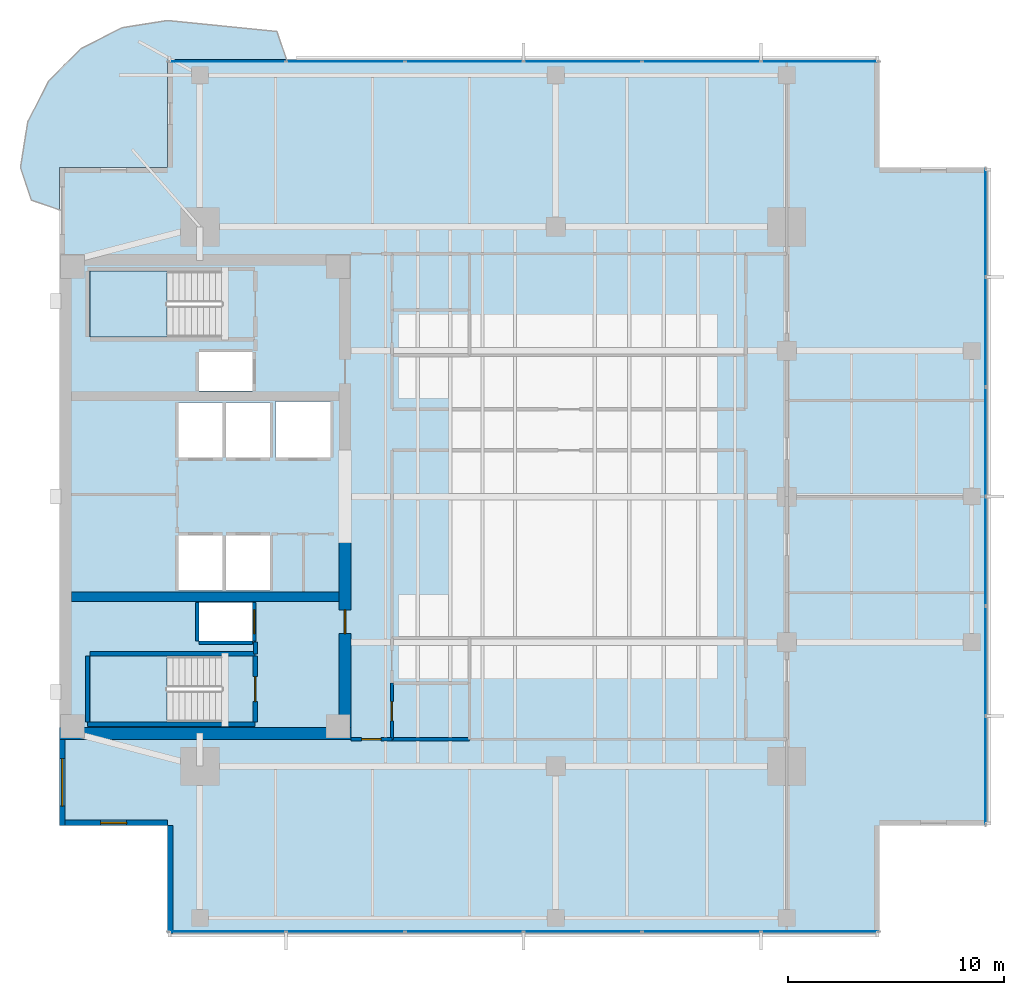
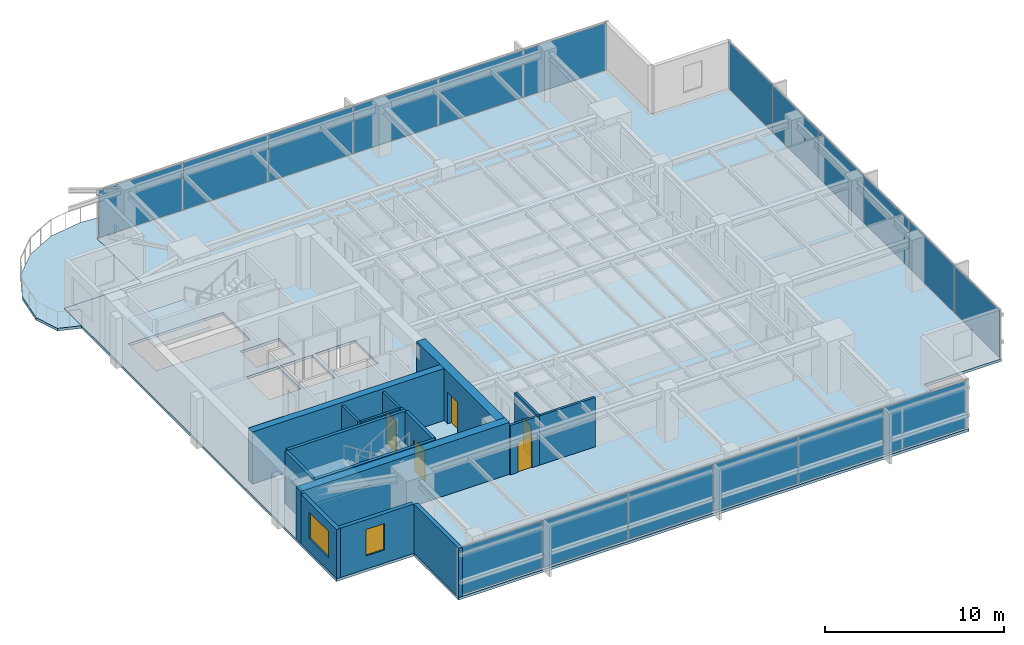
# One storey, part 7 of 14: 18 plates, 17 walls, 5 doors, 4 slabs, 2 windows, 7 openings, 5 elements without a shape of their own.
"""IFC4 building model written with IfcOpenShell, lengths in metres."""

from ifc_helpers import new_model, si_unit, direction, frame, frame_2d, origin, origin_2d, place, context, subcontext, project, spatial, polyline, rectangle, outline, extrude, material, layer, layer_set, type_object, element, fill, aggregate, save


model = new_model("IFC4")

# Units and contexts
model_context = context("Model", 3, precision=1e-05, world=origin(), true_north=direction((0.0, 1.0)))
body_context = subcontext(model_context, "Body", "Model", "MODEL_VIEW")
ifc_project = project(units=[si_unit("LENGTHUNIT", "METRE"), si_unit("AREAUNIT", "SQUARE_METRE"), si_unit("VOLUMEUNIT", "CUBIC_METRE"), si_unit("PLANEANGLEUNIT", "RADIAN"), si_unit("MASSUNIT", "GRAM", prefix="KILO")], contexts=[model_context])

# Site, building, storey
site_placement = place(None, origin())
site = spatial("IfcSite", under=ifc_project, at=site_placement, CompositionType="ELEMENT")
building_placement = place(site_placement, origin())
building = spatial("IfcBuilding", under=site, at=building_placement, Name="Kinhvarn Gate Tower", CompositionType="ELEMENT")
storey_placement = place(building_placement, frame((0.0, 0.0, 205.800048828125)))
storey = spatial("IfcBuildingStorey", under=building, at=storey_placement, Name="L54", CompositionType="ELEMENT", Elevation=205.800048828125)

# Curtain wall, plates
ifc_material_1 = material(Name="Anodised aluminium AW-6063", Category="aluminium")
ifc_layer_1 = layer(ifc_material_1, 0.179931640625)
ifc_layer_set_1 = layer_set([ifc_layer_1], Name="Anodised aluminium AW-6063")
curtain_wall_type = type_object("IfcCurtainWallType", Name="CW-SYS-3", PredefinedType="NOTDEFINED", material=ifc_layer_set_1)
curtain_wall_1_placement = place(storey_placement, origin())
curtain_wall_1 = element("IfcCurtainWall", 1, at=curtain_wall_1_placement, inside=storey, type_object=curtain_wall_type, Name="Curtain Wall CW3 (L54)", PredefinedType="NOTDEFINED")
ifc_material_2 = material(Name="Clear low-e double glazing", Category="glass")
ifc_layer_2 = layer(ifc_material_2, 0.031982421875)
ifc_layer_set_2 = layer_set([ifc_layer_2], Name="Clear low-e double glazing")
plate_type = type_object("IfcPlateType", Name="CW-PNL-VIS", PredefinedType="CURTAIN_PANEL", material=ifc_layer_set_2)
plate_1_placement = place(storey_placement, frame((12.266357421875, 5.090087890625, 0.070068359375), z_axis=(0.0, 0.0, 1.0), x_axis=(1.0, 0.0, 0.0)))
plate_1 = element("IfcPlate", 2, at=plate_1_placement, type_object=plate_type, Name="CW3 panel 1.1", PredefinedType="CURTAIN_PANEL", context=body_context, shape_type="SweptSolid", body=[
    extrude(rectangle(XDim=5.402587890625, YDim=0.031982421875, at=origin_2d()), origin(), (0.0, 0.0, 1.0), 3.22998046875),
])
plate_2_placement = place(storey_placement, frame((17.75, 5.090087890625, 0.070068359375), z_axis=(0.0, 0.0, 1.0), x_axis=(1.0, 0.0, 0.0)))
plate_2 = element("IfcPlate", 3, at=plate_2_placement, type_object=plate_type, Name="CW3 panel 2.1", PredefinedType="CURTAIN_PANEL", context=body_context, shape_type="SweptSolid", body=[
    extrude(rectangle(XDim=5.43505859375, YDim=0.031982421875, at=origin_2d()), origin(), (0.0, 0.0, 1.0), 3.22998046875),
])
plate_3_placement = place(storey_placement, frame((23.25, 5.090087890625, 0.070068359375), z_axis=(0.0, 0.0, 1.0), x_axis=(1.0, 0.0, 0.0)))
plate_3 = element("IfcPlate", 4, at=plate_3_placement, type_object=plate_type, Name="CW3 panel 3.1", PredefinedType="CURTAIN_PANEL", context=body_context, shape_type="SweptSolid", body=[
    extrude(rectangle(XDim=5.43505859375, YDim=0.031982421875, at=origin_2d()), origin(), (0.0, 0.0, 1.0), 3.22998046875),
])
plate_4_placement = place(storey_placement, frame((28.75, 5.090087890625, 0.070068359375), z_axis=(0.0, 0.0, 1.0), x_axis=(1.0, 0.0, 0.0)))
plate_4 = element("IfcPlate", 5, at=plate_4_placement, type_object=plate_type, Name="CW3 panel 4.1", PredefinedType="CURTAIN_PANEL", context=body_context, shape_type="SweptSolid", body=[
    extrude(rectangle(XDim=5.43505859375, YDim=0.031982421875, at=origin_2d()), origin(), (0.0, 0.0, 1.0), 3.22998046875),
])
plate_5_placement = place(storey_placement, frame((34.25, 5.090087890625, 0.070068359375), z_axis=(0.0, 0.0, 1.0), x_axis=(1.0, 0.0, 0.0)))
plate_5 = element("IfcPlate", 6, at=plate_5_placement, type_object=plate_type, Name="CW3 panel 5.1", PredefinedType="CURTAIN_PANEL", context=body_context, shape_type="SweptSolid", body=[
    extrude(rectangle(XDim=5.43505859375, YDim=0.031982421875, at=origin_2d()), origin(), (0.0, 0.0, 1.0), 3.22998046875),
])
plate_6_placement = place(storey_placement, frame((39.733642578125, 5.090087890625, 0.070068359375), z_axis=(0.0, 0.0, 1.0), x_axis=(1.0, 0.0, 0.0)))
plate_6 = element("IfcPlate", 7, at=plate_6_placement, type_object=plate_type, Name="CW3 panel 6.1", PredefinedType="CURTAIN_PANEL", context=body_context, shape_type="SweptSolid", body=[
    extrude(rectangle(XDim=5.402587890625, YDim=0.031982421875, at=origin_2d()), origin(), (0.0, 0.0, 1.0), 3.22998046875),
])
aggregate(curtain_wall_1, [plate_1, plate_2, plate_3, plate_4, plate_5, plate_6])

curtain_wall_2_placement = place(storey_placement, origin())
curtain_wall_2 = element("IfcCurtainWall", 8, at=curtain_wall_2_placement, inside=storey, type_object=curtain_wall_type, Name="Curtain Wall CW3 (L54)", PredefinedType="NOTDEFINED")
plate_7_placement = place(storey_placement, frame((39.733642578125, 45.409912109375, 0.070068359375), z_axis=(0.0, 0.0, 1.0), x_axis=(-1.0, 0.0, 0.0)))
plate_7 = element("IfcPlate", 9, at=plate_7_placement, type_object=plate_type, Name="CW3 panel 1.1", PredefinedType="CURTAIN_PANEL", context=body_context, shape_type="SweptSolid", body=[
    extrude(rectangle(XDim=5.402587890625, YDim=0.031982421875, at=origin_2d()), origin(), (0.0, 0.0, 1.0), 3.22998046875),
])
plate_8_placement = place(storey_placement, frame((34.25, 45.409912109375, 0.070068359375), z_axis=(0.0, 0.0, 1.0), x_axis=(-1.0, 0.0, 0.0)))
plate_8 = element("IfcPlate", 10, at=plate_8_placement, type_object=plate_type, Name="CW3 panel 2.1", PredefinedType="CURTAIN_PANEL", context=body_context, shape_type="SweptSolid", body=[
    extrude(rectangle(XDim=5.43505859375, YDim=0.031982421875, at=origin_2d()), origin(), (0.0, 0.0, 1.0), 3.22998046875),
])
plate_9_placement = place(storey_placement, frame((28.75, 45.409912109375, 0.070068359375), z_axis=(0.0, 0.0, 1.0), x_axis=(-1.0, 0.0, 0.0)))
plate_9 = element("IfcPlate", 11, at=plate_9_placement, type_object=plate_type, Name="CW3 panel 3.1", PredefinedType="CURTAIN_PANEL", context=body_context, shape_type="SweptSolid", body=[
    extrude(rectangle(XDim=5.43505859375, YDim=0.031982421875, at=origin_2d()), origin(), (0.0, 0.0, 1.0), 3.22998046875),
])
plate_10_placement = place(storey_placement, frame((23.25, 45.409912109375, 0.070068359375), z_axis=(0.0, 0.0, 1.0), x_axis=(-1.0, 0.0, 0.0)))
plate_10 = element("IfcPlate", 12, at=plate_10_placement, type_object=plate_type, Name="CW3 panel 4.1", PredefinedType="CURTAIN_PANEL", context=body_context, shape_type="SweptSolid", body=[
    extrude(rectangle(XDim=5.43505859375, YDim=0.031982421875, at=origin_2d()), origin(), (0.0, 0.0, 1.0), 3.22998046875),
])
plate_11_placement = place(storey_placement, frame((17.75, 45.409912109375, 0.070068359375), z_axis=(0.0, 0.0, 1.0), x_axis=(-1.0, 0.0, 0.0)))
plate_11 = element("IfcPlate", 13, at=plate_11_placement, type_object=plate_type, Name="CW3 panel 5.1", PredefinedType="CURTAIN_PANEL", context=body_context, shape_type="SweptSolid", body=[
    extrude(rectangle(XDim=5.43505859375, YDim=0.031982421875, at=origin_2d()), origin(), (0.0, 0.0, 1.0), 3.22998046875),
])
plate_12_placement = place(storey_placement, frame((12.266357421875, 45.409912109375, 0.070068359375), z_axis=(0.0, 0.0, 1.0), x_axis=(-1.0, 0.0, 0.0)))
plate_12 = element("IfcPlate", 14, at=plate_12_placement, type_object=plate_type, Name="CW3 panel 6.1", PredefinedType="CURTAIN_PANEL", context=body_context, shape_type="SweptSolid", body=[
    extrude(rectangle(XDim=5.402587890625, YDim=0.031982421875, at=origin_2d()), origin(), (0.0, 0.0, 1.0), 3.22998046875),
])
aggregate(curtain_wall_2, [plate_7, plate_8, plate_9, plate_10, plate_11, plate_12])

curtain_wall_3_placement = place(storey_placement, origin())
curtain_wall_3 = element("IfcCurtainWall", 15, at=curtain_wall_3_placement, inside=storey, type_object=curtain_wall_type, Name="Curtain Wall CW3 (L54)", PredefinedType="NOTDEFINED")
plate_13_placement = place(storey_placement, frame((47.409912109375, 12.557861328125, 0.070068359375), z_axis=(0.0, 0.0, 1.0), x_axis=(0.0, 1.0, 0.0)))
plate_13 = element("IfcPlate", 16, at=plate_13_placement, type_object=plate_type, Name="CW3 panel 1.1", PredefinedType="CURTAIN_PANEL", context=body_context, shape_type="SweptSolid", body=[
    extrude(rectangle(XDim=4.98583984375, YDim=0.031982421875, at=origin_2d()), origin(), (0.0, 0.0, 1.0), 3.22998046875),
])
plate_14_placement = place(storey_placement, frame((47.409912109375, 17.625, 0.070068359375), z_axis=(0.0, 0.0, 1.0), x_axis=(0.0, 1.0, 0.0)))
plate_14 = element("IfcPlate", 17, at=plate_14_placement, type_object=plate_type, Name="CW3 panel 2.1", PredefinedType="CURTAIN_PANEL", context=body_context, shape_type="SweptSolid", body=[
    extrude(rectangle(XDim=5.018310546875, YDim=0.031982421875, at=origin_2d()), origin(), (0.0, 0.0, 1.0), 3.22998046875),
])
plate_15_placement = place(storey_placement, frame((47.409912109375, 22.708251953125, 0.070068359375), z_axis=(0.0, 0.0, 1.0), x_axis=(0.0, 1.0, 0.0)))
plate_15 = element("IfcPlate", 18, at=plate_15_placement, type_object=plate_type, Name="CW3 panel 3.1", PredefinedType="CURTAIN_PANEL", context=body_context, shape_type="SweptSolid", body=[
    extrude(rectangle(XDim=5.018310546875, YDim=0.031982421875, at=origin_2d()), origin(), (0.0, 0.0, 1.0), 3.22998046875),
])
plate_16_placement = place(storey_placement, frame((47.409912109375, 27.791748046875, 0.070068359375), z_axis=(0.0, 0.0, 1.0), x_axis=(0.0, 1.0, 0.0)))
plate_16 = element("IfcPlate", 19, at=plate_16_placement, type_object=plate_type, Name="CW3 panel 4.1", PredefinedType="CURTAIN_PANEL", context=body_context, shape_type="SweptSolid", body=[
    extrude(rectangle(XDim=5.018310546875, YDim=0.031982421875, at=origin_2d()), origin(), (0.0, 0.0, 1.0), 3.22998046875),
])
plate_17_placement = place(storey_placement, frame((47.409912109375, 32.875, 0.070068359375), z_axis=(0.0, 0.0, 1.0), x_axis=(0.0, 1.0, 0.0)))
plate_17 = element("IfcPlate", 20, at=plate_17_placement, type_object=plate_type, Name="CW3 panel 5.1", PredefinedType="CURTAIN_PANEL", context=body_context, shape_type="SweptSolid", body=[
    extrude(rectangle(XDim=5.018310546875, YDim=0.031982421875, at=origin_2d()), origin(), (0.0, 0.0, 1.0), 3.22998046875),
])
plate_18_placement = place(storey_placement, frame((47.409912109375, 37.942138671875, 0.070068359375), z_axis=(0.0, 0.0, 1.0), x_axis=(0.0, 1.0, 0.0)))
plate_18 = element("IfcPlate", 21, at=plate_18_placement, type_object=plate_type, Name="CW3 panel 6.1", PredefinedType="CURTAIN_PANEL", context=body_context, shape_type="SweptSolid", body=[
    extrude(rectangle(XDim=4.98583984375, YDim=0.031982421875, at=origin_2d()), origin(), (0.0, 0.0, 1.0), 3.22998046875),
])
aggregate(curtain_wall_3, [plate_13, plate_14, plate_15, plate_16, plate_17, plate_18])

# Slabs
ifc_material_3 = material(Name="Precast white architectural concrete C40/50", Category="concrete")
ifc_layer_3 = layer(ifc_material_3, 0.179931640625)
ifc_layer_set_3 = layer_set([ifc_layer_3], Name="Precast white architectural concrete C40/50")
slab_type_1 = type_object("IfcSlabType", Name="SLB-BAL-180", PredefinedType="FLOOR", material=ifc_layer_set_3)
slab_1_placement = place(storey_placement, frame((0.0, 0.0, -0.179931640625)))
element("IfcSlab", 22, at=slab_1_placement, inside=storey, type_object=slab_type_1, Name="S-Carve Curved Terrace Balcony Slab L54 (NW)", PredefinedType="FLOOR", context=body_context, shape_type="SweptSolid", body=[
    extrude(outline(polyline([(15.01806640625, 45.5), (14.568115234375, 46.80615234375), (9.5, 47.31396484375), (7.394287109375, 46.98046875), (5.494873046875, 46.0126953125), (3.9873046875, 44.505126953125), (3.01953125, 42.605712890625), (2.68603515625, 40.5), (3.19384765625, 38.987060546875), (4.5, 38.537109375), (4.5, 40.5), (9.5, 40.5), (9.5, 45.5), (15.01806640625, 45.5)])), origin(), (0.0, 0.0, 1.0), 0.179931640625),
])
ifc_material_4 = material(Name="Concrete C40/50", Category="concrete")
ifc_layer_4 = layer(ifc_material_4, 0.179931640625)
ifc_layer_set_4 = layer_set([ifc_layer_4], Name="Concrete C40/50")
slab_type_2 = type_object("IfcSlabType", Name="SLB-FLR-180", PredefinedType="FLOOR", material=ifc_layer_set_4)
slab_2_placement = place(storey_placement, frame((0.0, 0.0, -0.179931640625)))
element("IfcSlab", 23, at=slab_2_placement, inside=storey, type_object=slab_type_2, Name="Suspended Floor Slab L54", PredefinedType="FLOOR", context=body_context, shape_type="SweptSolid", body=[
    extrude(outline(polyline([(9.5, 5.0), (42.5, 5.0), (42.5, 10.0), (47.5, 10.0), (47.5, 40.5), (42.5, 40.5), (42.5, 45.5), (9.5, 45.5), (9.5, 40.5), (4.5, 40.5), (4.5, 10.0), (9.5, 10.0), (9.5, 5.0)]), holes=[polyline([(5.89990234375, 14.800048828125), (12.0, 14.800048828125), (12.0, 17.85009765625), (5.89990234375, 17.85009765625), (5.89990234375, 14.800048828125)]), polyline([(5.89990234375, 32.64990234375), (12.0, 32.64990234375), (12.0, 35.699951171875), (5.89990234375, 35.699951171875), (5.89990234375, 32.64990234375)]), polyline([(10.0, 20.89990234375), (12.050048828125, 20.89990234375), (12.050048828125, 23.449951171875), (10.0, 23.449951171875), (10.0, 20.89990234375)]), polyline([(12.199951171875, 20.89990234375), (14.25, 20.89990234375), (14.25, 23.449951171875), (12.199951171875, 23.449951171875), (12.199951171875, 20.89990234375)]), polyline([(10.0, 27.050048828125), (12.050048828125, 27.050048828125), (12.050048828125, 29.60009765625), (10.0, 29.60009765625), (10.0, 27.050048828125)]), polyline([(12.199951171875, 27.050048828125), (14.25, 27.050048828125), (14.25, 29.60009765625), (12.199951171875, 29.60009765625), (12.199951171875, 27.050048828125)]), polyline([(14.5, 27.050048828125), (17.050048828125, 27.050048828125), (17.050048828125, 29.64990234375), (14.5, 29.64990234375), (14.5, 27.050048828125)]), polyline([(10.949951171875, 18.550048828125), (13.449951171875, 18.550048828125), (13.449951171875, 20.35009765625), (10.949951171875, 20.35009765625), (10.949951171875, 18.550048828125)]), polyline([(10.949951171875, 30.14990234375), (13.449951171875, 30.14990234375), (13.449951171875, 31.949951171875), (10.949951171875, 31.949951171875), (10.949951171875, 30.14990234375)])]), origin(), (0.0, 0.0, 1.0), 0.179931640625),
])

# Stair, slab
stair_type = type_object("IfcStairType", Name="STR-DLG-177", PredefinedType="HALF_TURN_STAIR", material=ifc_material_4)
stair_1_placement = place(storey_placement, origin())
stair_1 = element("IfcStair", 24, at=stair_1_placement, inside=storey, type_object=stair_type, Name="L54 Core Smokeproof Exit Stair ST1", PredefinedType="HALF_TURN_STAIR")
ifc_layer_5 = layer(ifc_material_4, 0.199951171875)
ifc_layer_set_5 = layer_set([ifc_layer_5], Name="Concrete C40/50")
slab_type_3 = type_object("IfcSlabType", Name="SLB-ST-LND", PredefinedType="LANDING", material=ifc_layer_set_5)
slab_3_placement = place(storey_placement, frame((0.0, 0.0, 1.574951171875)))
slab_3 = element("IfcSlab", 25, at=slab_3_placement, type_object=slab_type_3, Name="ST1 landing 1", PredefinedType="LANDING", context=body_context, shape_type="SweptSolid", body=[
    extrude(outline(polyline([(9.47998046875, 17.85009765625), (5.89990234375, 17.85009765625), (5.89990234375, 14.800048828125), (9.47998046875, 14.800048828125), (9.47998046875, 17.85009765625)])), origin(), (0.0, 0.0, 1.0), 0.199951171875),
])
aggregate(stair_1, [slab_3])

stair_2_placement = place(storey_placement, origin())
stair_2 = element("IfcStair", 26, at=stair_2_placement, inside=storey, type_object=stair_type, Name="L54 Core Smokeproof Exit Stair ST2", PredefinedType="HALF_TURN_STAIR")
slab_4_placement = place(storey_placement, frame((0.0, 0.0, 1.574951171875)))
slab_4 = element("IfcSlab", 27, at=slab_4_placement, type_object=slab_type_3, Name="ST2 landing 1", PredefinedType="LANDING", context=body_context, shape_type="SweptSolid", body=[
    extrude(outline(polyline([(9.47998046875, 35.699951171875), (5.89990234375, 35.699951171875), (5.89990234375, 32.64990234375), (9.47998046875, 32.64990234375), (9.47998046875, 35.699951171875)])), origin(), (0.0, 0.0, 1.0), 0.199951171875),
])
aggregate(stair_2, [slab_4])

# Walls
ifc_material_5 = material(Name="Concrete C50/60", Category="concrete")
ifc_layer_6 = layer(ifc_material_5, 0.449951171875)
ifc_layer_set_6 = layer_set([ifc_layer_6], Name="Concrete C50/60")
wall_type_1 = type_object("IfcWallType", Name="WL-CORE-450", PredefinedType="SHEAR", material=ifc_layer_set_6)
wall_1_placement = place(storey_placement, frame((5.050048828125, 20.60009765625, 0.0), z_axis=(0.0, 0.0, 1.0), x_axis=(1.0, 0.0, 0.0)))
element("IfcWall", 28, at=wall_1_placement, inside=storey, type_object=wall_type_1, Name="Core South Spine Shear Wall L54 450 mm", PredefinedType="SHEAR", context=body_context, shape_type="SweptSolid", body=[
    extrude(rectangle(XDim=12.39990234375, YDim=0.449951171875, at=frame_2d((6.199951171875, 0.0))), origin(), (0.0, 0.0, 1.0), 3.550048828125),
])
ifc_material_6 = material(Name="Concrete C60/75", Category="concrete")
ifc_layer_7 = layer(ifc_material_6, 0.550048828125)
ifc_layer_set_7 = layer_set([ifc_layer_7], Name="Concrete C60/75")
wall_type_2 = type_object("IfcWallType", Name="WL-CORE-550", PredefinedType="SHEAR", material=ifc_layer_set_7)
wall_2_placement = place(storey_placement, frame((4.5, 14.27490234375, 0.0), z_axis=(0.0, 0.0, 1.0), x_axis=(1.0, 0.0, 0.0)))
element("IfcWall", 29, at=wall_2_placement, inside=storey, type_object=wall_type_2, Name="Core South Shear Wall L54 550 mm", PredefinedType="SHEAR", context=body_context, shape_type="SweptSolid", body=[
    extrude(rectangle(XDim=13.5, YDim=0.550048828125, at=frame_2d((6.75, 0.0))), origin(), (0.0, 0.0, 1.0), 3.550048828125),
])

# Wall, opening, door
wall_3_placement = place(storey_placement, frame((17.72509765625, 14.550048828125, 0.0), z_axis=(0.0, 0.0, 1.0), x_axis=(0.0, 1.0, 0.0)))
wall_3 = element("IfcWall", 30, at=wall_3_placement, inside=storey, type_object=wall_type_2, Name="Core East-South Shear Pier L54 550 mm", PredefinedType="SHEAR", context=body_context, shape_type="SweptSolid", body=[
    extrude(rectangle(XDim=8.89990234375, YDim=0.550048828125, at=frame_2d((4.449951171875, 0.0))), origin(), (0.0, 0.0, 1.0), 3.550048828125),
])
opening_1_placement = place(wall_3_placement, frame((4.35009765625, 0.0, 0.0)))
opening_1 = element("IfcOpeningElement", 31, at=opening_1_placement, cuts=wall_3, Name="Opening FD-02", PredefinedType="OPENING", context=body_context, shape_type="SweptSolid", body=[
    extrude(rectangle(XDim=1.10009765625, YDim=2.14990234375, at=frame_2d((0.550048828125, 1.074951171875))), frame((0.0, 0.28515625, 0.0), z_axis=(0.0, -1.0, 0.0), x_axis=(1.0, 0.0, 0.0)), (0.0, 0.0, 1.0), 0.570068359375),
])
door_type_1 = type_object("IfcDoorType", Name="DR-FD-1100", OperationType="NOTDEFINED", PredefinedType="DOOR", material=ifc_material_1)
door_1_placement = place(opening_1_placement, origin())
door_1 = element("IfcDoor", 32, at=door_1_placement, inside=storey, type_object=door_type_1, Name="Firefighting Lobby Core Door (L54)", OperationType="SINGLE_SWING_RIGHT", OverallHeight=2.14990234375, OverallWidth=1.10009765625, PredefinedType="DOOR", context=body_context, shape_type="SweptSolid", body=[
    extrude(rectangle(XDim=1.10009765625, YDim=2.14990234375, at=frame_2d((0.550048828125, 1.074951171875))), frame((0.0, 0.02490234375, 0.0), z_axis=(0.0, -1.0, 0.0), x_axis=(1.0, 0.0, 0.0)), (0.0, 0.0, 1.0), 0.050048828125),
])
fill(opening_1, door_1)

# Wall, opening, window
ifc_material_7 = material(Name="Fired architectural terracotta", Category="masonry")
ifc_layer_8 = layer(ifc_material_7, 0.25)
ifc_layer_set_8 = layer_set([ifc_layer_8], Name="Fired architectural terracotta")
wall_type_3 = type_object("IfcWallType", Name="WL-EXT-250", PredefinedType="SOLIDWALL", material=ifc_layer_set_8)
wall_4_placement = place(storey_placement, frame((4.625, 14.0, 0.0), z_axis=(0.0, 0.0, 1.0), x_axis=(0.0, -1.0, 0.0)))
wall_4 = element("IfcWall", 33, at=wall_4_placement, inside=storey, type_object=wall_type_3, Name="Exterior Solidwall Wall EW-250 (L54 West-South)", PredefinedType="SOLIDWALL", context=body_context, shape_type="SweptSolid", body=[
    extrude(rectangle(XDim=4.0, YDim=0.25, at=frame_2d((2.0, 0.0))), origin(), (0.0, 0.0, 1.0), 3.369873046875),
])
opening_2_placement = place(wall_4_placement, frame((0.89990234375, 0.0, 0.89990234375)))
opening_2 = element("IfcOpeningElement", 34, at=opening_2_placement, cuts=wall_4, Name="Opening WN-01", PredefinedType="OPENING", context=body_context, shape_type="SweptSolid", body=[
    extrude(rectangle(XDim=2.199951171875, YDim=1.800048828125, at=frame_2d((1.10009765625, 0.89990234375))), frame((0.0, 0.135009765625, 0.0), z_axis=(0.0, -1.0, 0.0), x_axis=(1.0, 0.0, 0.0)), (0.0, 0.0, 1.0), 0.27001953125),
])
window_type_1 = type_object("IfcWindowType", Name="WIN-RIB-2200", PartitioningType="SINGLE_PANEL", PredefinedType="WINDOW", material=ifc_material_2)
window_1_placement = place(opening_2_placement, origin())
window_1 = element("IfcWindow", 35, at=window_1_placement, inside=storey, type_object=window_type_1, Name="West Flank Double-Glazed Ribbon Window 2200x1800 mm (L54)", OverallHeight=1.800048828125, OverallWidth=2.199951171875, PartitioningType="SINGLE_PANEL", PredefinedType="WINDOW", context=body_context, shape_type="SweptSolid", body=[
    extrude(rectangle(XDim=2.199951171875, YDim=1.800048828125, at=frame_2d((1.10009765625, 0.89990234375))), frame((0.0, 0.030029296875, 0.0), z_axis=(0.0, -1.0, 0.0), x_axis=(1.0, 0.0, 0.0)), (0.0, 0.0, 1.0), 0.06005859375),
])
fill(opening_2, window_1)

wall_5_placement = place(storey_placement, frame((4.5, 10.125, 0.0), z_axis=(0.0, 0.0, 1.0), x_axis=(1.0, 0.0, 0.0)))
wall_5 = element("IfcWall", 36, at=wall_5_placement, inside=storey, type_object=wall_type_3, Name="Exterior Solidwall Wall EW-250 (L54 SW-Notch-1)", PredefinedType="SOLIDWALL", context=body_context, shape_type="SweptSolid", body=[
    extrude(rectangle(XDim=5.0, YDim=0.25, at=frame_2d((2.5, 0.0))), origin(), (0.0, 0.0, 1.0), 3.369873046875),
])
opening_3_placement = place(wall_5_placement, frame((1.89990234375, 0.0, 0.89990234375)))
opening_3 = element("IfcOpeningElement", 37, at=opening_3_placement, cuts=wall_5, Name="Opening WN-02", PredefinedType="OPENING", context=body_context, shape_type="SweptSolid", body=[
    extrude(rectangle(XDim=1.199951171875, YDim=1.800048828125, at=frame_2d((0.60009765625, 0.89990234375))), frame((0.0, 0.135009765625, 0.0), z_axis=(0.0, -1.0, 0.0), x_axis=(1.0, 0.0, 0.0)), (0.0, 0.0, 1.0), 0.27001953125),
])
window_type_2 = type_object("IfcWindowType", Name="WIN-NTC-1200", PartitioningType="SINGLE_PANEL", PredefinedType="WINDOW", material=ifc_material_2)
window_2_placement = place(opening_3_placement, origin())
window_2 = element("IfcWindow", 38, at=window_2_placement, inside=storey, type_object=window_type_2, Name="Recessed Corner Notch Punched Window 1200x1800 mm (L54)", OverallHeight=1.800048828125, OverallWidth=1.199951171875, PartitioningType="SINGLE_PANEL", PredefinedType="WINDOW", context=body_context, shape_type="SweptSolid", body=[
    extrude(rectangle(XDim=1.199951171875, YDim=1.800048828125, at=frame_2d((0.60009765625, 0.89990234375))), frame((0.0, 0.030029296875, 0.0), z_axis=(0.0, -1.0, 0.0), x_axis=(1.0, 0.0, 0.0)), (0.0, 0.0, 1.0), 0.06005859375),
])
fill(opening_3, window_2)

# Walls
wall_6_placement = place(storey_placement, frame((9.625, 10.0, 0.0), z_axis=(0.0, 0.0, 1.0), x_axis=(0.0, -1.0, 0.0)))
element("IfcWall", 39, at=wall_6_placement, inside=storey, type_object=wall_type_3, Name="Exterior Solidwall Wall EW-250 (L54 SW-Notch-2)", PredefinedType="SOLIDWALL", context=body_context, shape_type="SweptSolid", body=[
    extrude(rectangle(XDim=5.0, YDim=0.25, at=frame_2d((2.5, 0.0))), origin(), (0.0, 0.0, 1.0), 3.369873046875),
])
ifc_material_8 = material(Name="Gypsum acoustic partition board")
ifc_layer_9 = layer(ifc_material_8, 0.14990234375)
ifc_layer_set_9 = layer_set([ifc_layer_9], Name="Gypsum acoustic partition board")
wall_type_4 = type_object("IfcWallType", Name="WL-PLM-150", PredefinedType="PLUMBINGWALL", material=ifc_layer_set_9)
wall_7_placement = place(storey_placement, frame((19.89990234375, 14.0, 0.0), z_axis=(0.0, 0.0, 1.0), x_axis=(1.0, 0.0, 0.0)))
element("IfcWall", 40, at=wall_7_placement, inside=storey, type_object=wall_type_4, Name="Interior Partition PLW-150 (L54)", PredefinedType="PLUMBINGWALL", context=body_context, shape_type="SweptSolid", body=[
    extrude(rectangle(XDim=3.60009765625, YDim=0.14990234375, at=frame_2d((1.800048828125, 0.0))), origin(), (0.0, 0.0, 1.0), 3.369873046875),
])

# Wall, opening, door
ifc_layer_10 = layer(ifc_material_8, 0.14990234375)
ifc_layer_set_10 = layer_set([ifc_layer_10], Name="Gypsum acoustic partition board")
wall_type_5 = type_object("IfcWallType", Name="WL-PLM-150F", PredefinedType="PLUMBINGWALL", material=ifc_layer_set_10)
wall_8_placement = place(storey_placement, frame((19.89990234375, 14.0, 0.0), z_axis=(0.0, 0.0, 1.0), x_axis=(0.0, 1.0, 0.0)))
wall_8 = element("IfcWall", 41, at=wall_8_placement, inside=storey, type_object=wall_type_5, Name="Interior Partition PLW-150F (L54)", PredefinedType="PLUMBINGWALL", context=body_context, shape_type="SweptSolid", body=[
    extrude(rectangle(XDim=2.60009765625, YDim=0.14990234375, at=frame_2d((1.300048828125, 0.0))), origin(), (0.0, 0.0, 1.0), 3.369873046875),
])
opening_4_placement = place(wall_8_placement, frame((0.85009765625, 0.0, 0.0)))
opening_4 = element("IfcOpeningElement", 42, at=opening_4_placement, cuts=wall_8, Name="Opening FD-04", PredefinedType="OPENING", context=body_context, shape_type="SweptSolid", body=[
    extrude(rectangle(XDim=0.89990234375, YDim=2.10009765625, at=frame_2d((0.449951171875, 1.050048828125))), frame((0.0, 0.0849609375, 0.0), z_axis=(0.0, -1.0, 0.0), x_axis=(1.0, 0.0, 0.0)), (0.0, 0.0, 1.0), 0.169921875),
])
door_type_2 = type_object("IfcDoorType", Name="DR-FD-900", OperationType="NOTDEFINED", PredefinedType="DOOR", material=ifc_material_1)
door_2_placement = place(opening_4_placement, origin())
door_2 = element("IfcDoor", 43, at=door_2_placement, inside=storey, type_object=door_type_2, Name="Rated Riser & Service Closet Fire Door 900x2100 mm (L54)", OperationType="SINGLE_SWING_LEFT", OverallHeight=2.10009765625, OverallWidth=0.89990234375, PredefinedType="DOOR", context=body_context, shape_type="SweptSolid", body=[
    extrude(rectangle(XDim=0.89990234375, YDim=2.10009765625, at=frame_2d((0.449951171875, 1.050048828125))), frame((0.0, 0.02490234375, 0.0), z_axis=(0.0, -1.0, 0.0), x_axis=(1.0, 0.0, 0.0)), (0.0, 0.0, 1.0), 0.050048828125),
])
fill(opening_4, door_2)

ifc_layer_11 = layer(ifc_material_8, 0.14990234375)
ifc_layer_set_11 = layer_set([ifc_layer_11], Name="Gypsum acoustic partition board")
wall_type_6 = type_object("IfcWallType", Name="WL-PRT-150F", PredefinedType="PARTITIONING", material=ifc_layer_set_11)
wall_9_placement = place(storey_placement, frame((18.0, 14.0, 0.0), z_axis=(0.0, 0.0, 1.0), x_axis=(1.0, 0.0, 0.0)))
wall_9 = element("IfcWall", 44, at=wall_9_placement, inside=storey, type_object=wall_type_6, Name="Interior Partition PW-150F (L54)", PredefinedType="PARTITIONING", context=body_context, shape_type="SweptSolid", body=[
    extrude(rectangle(XDim=1.89990234375, YDim=0.14990234375, at=frame_2d((0.949951171875, 0.0))), origin(), (0.0, 0.0, 1.0), 3.369873046875),
])
opening_5_placement = place(wall_9_placement, frame((0.5, 0.0, 0.0)))
opening_5 = element("IfcOpeningElement", 45, at=opening_5_placement, cuts=wall_9, Name="Opening ID-03", PredefinedType="OPENING", context=body_context, shape_type="SweptSolid", body=[
    extrude(rectangle(XDim=0.89990234375, YDim=2.10009765625, at=frame_2d((0.449951171875, 1.050048828125))), frame((0.0, 0.0849609375, 0.0), z_axis=(0.0, -1.0, 0.0), x_axis=(1.0, 0.0, 0.0)), (0.0, 0.0, 1.0), 0.169921875),
])
door_type_3 = type_object("IfcDoorType", Name="DR-INT-900", OperationType="NOTDEFINED", PredefinedType="DOOR", material=ifc_material_1)
door_3_placement = place(opening_5_placement, origin())
door_3 = element("IfcDoor", 46, at=door_3_placement, inside=storey, type_object=door_type_3, Name="Cellular Office & Restroom Door 900x2100 mm (L54)", OperationType="SINGLE_SWING_LEFT", OverallHeight=2.10009765625, OverallWidth=0.89990234375, PredefinedType="DOOR", context=body_context, shape_type="SweptSolid", body=[
    extrude(rectangle(XDim=0.89990234375, YDim=2.10009765625, at=frame_2d((0.449951171875, 1.050048828125))), frame((0.0, 0.02490234375, 0.0), z_axis=(0.0, -1.0, 0.0), x_axis=(1.0, 0.0, 0.0)), (0.0, 0.0, 1.0), 0.050048828125),
])
fill(opening_5, door_3)

# Walls
ifc_layer_12 = layer(ifc_material_8, 0.199951171875)
ifc_layer_set_12 = layer_set([ifc_layer_12], Name="Gypsum acoustic partition board")
wall_type_7 = type_object("IfcWallType", Name="WL-PRT-200", PredefinedType="PARTITIONING", material=ifc_layer_set_12)
wall_10_placement = place(storey_placement, frame((13.580078125, 17.9599609375, 0.0), z_axis=(0.0, 0.0, 1.0), x_axis=(0.0, 1.0, 0.0)))
element("IfcWall", 47, at=wall_10_placement, inside=storey, type_object=wall_type_7, Name="Interior Partition PW-200 (L54)", PredefinedType="PARTITIONING", context=body_context, shape_type="SweptSolid", body=[
    extrude(rectangle(XDim=0.5400390625, YDim=0.199951171875, at=frame_2d((0.27001953125, 0.0))), origin(), (0.0, 0.0, 1.0), 3.369873046875),
])
ifc_layer_13 = layer(ifc_material_8, 0.14990234375)
ifc_layer_set_13 = layer_set([ifc_layer_13], Name="Gypsum acoustic partition board")
wall_type_8 = type_object("IfcWallType", Name="WL-SHF-150", PredefinedType="PARTITIONING", material=ifc_layer_set_13)
wall_11_placement = place(storey_placement, frame((10.949951171875, 18.47509765625, 0.0), z_axis=(0.0, 0.0, 1.0), x_axis=(1.0, 0.0, 0.0)))
element("IfcWall", 48, at=wall_11_placement, inside=storey, type_object=wall_type_8, Name="Elevator FF1 Hoistway Wall S (L54)", PredefinedType="PARTITIONING", context=body_context, shape_type="SweptSolid", body=[
    extrude(rectangle(XDim=2.5, YDim=0.14990234375, at=frame_2d((1.25, 0.0))), origin(), (0.0, 0.0, 1.0), 3.369873046875),
])
wall_12_placement = place(storey_placement, frame((10.875, 18.550048828125, 0.0), z_axis=(0.0, 0.0, 1.0), x_axis=(0.0, 1.0, 0.0)))
element("IfcWall", 49, at=wall_12_placement, inside=storey, type_object=wall_type_8, Name="Elevator FF1 Hoistway Wall W (L54)", PredefinedType="PARTITIONING", context=body_context, shape_type="SweptSolid", body=[
    extrude(rectangle(XDim=1.800048828125, YDim=0.14990234375, at=frame_2d((0.89990234375, 0.0))), origin(), (0.0, 0.0, 1.0), 3.369873046875),
])

# Wall, opening, door
wall_13_placement = place(storey_placement, frame((13.52490234375, 18.550048828125, 0.0), z_axis=(0.0, 0.0, 1.0), x_axis=(0.0, 1.0, 0.0)))
wall_13 = element("IfcWall", 50, at=wall_13_placement, inside=storey, type_object=wall_type_8, Name="Elevator FF1 Landing Wall (L54)", PredefinedType="PARTITIONING", context=body_context, shape_type="SweptSolid", body=[
    extrude(rectangle(XDim=1.800048828125, YDim=0.14990234375, at=frame_2d((0.89990234375, 0.0))), origin(), (0.0, 0.0, 1.0), 3.369873046875),
])
opening_6_placement = place(wall_13_placement, frame((0.35009765625, 0.0, 0.0)))
opening_6 = element("IfcOpeningElement", 51, at=opening_6_placement, cuts=wall_13, Name="Opening LD-03", PredefinedType="OPENING", context=body_context, shape_type="SweptSolid", body=[
    extrude(rectangle(XDim=1.10009765625, YDim=2.199951171875, at=frame_2d((0.550048828125, 1.10009765625))), frame((0.0, 0.0849609375, 0.0), z_axis=(0.0, -1.0, 0.0), x_axis=(1.0, 0.0, 0.0)), (0.0, 0.0, 1.0), 0.169921875),
])
door_type_4 = type_object("IfcDoorType", Name="DR-LND-FF", OperationType="NOTDEFINED", PredefinedType="DOOR", material=ifc_material_1)
door_4_placement = place(opening_6_placement, origin())
door_4 = element("IfcDoor", 52, at=door_4_placement, inside=storey, type_object=door_type_4, Name="Elevator FF1 Sliding Landing Door (L54)", OperationType="DOUBLE_DOOR_SLIDING", OverallHeight=2.199951171875, OverallWidth=1.10009765625, PredefinedType="DOOR", context=body_context, shape_type="SweptSolid", body=[
    extrude(rectangle(XDim=1.10009765625, YDim=2.199951171875, at=frame_2d((0.550048828125, 1.10009765625))), frame((0.0, 0.02490234375, 0.0), z_axis=(0.0, -1.0, 0.0), x_axis=(1.0, 0.0, 0.0)), (0.0, 0.0, 1.0), 0.050048828125),
])
fill(opening_6, door_4)

# Walls
ifc_layer_14 = layer(ifc_material_4, 0.199951171875)
ifc_layer_set_14 = layer_set([ifc_layer_14], Name="Concrete C40/50")
wall_type_9 = type_object("IfcWallType", Name="WL-SHF-200", PredefinedType="SOLIDWALL", material=ifc_layer_set_14)
wall_14_placement = place(storey_placement, frame((5.800048828125, 14.699951171875, 0.0), z_axis=(0.0, 0.0, 1.0), x_axis=(1.0, 0.0, 0.0)))
element("IfcWall", 53, at=wall_14_placement, inside=storey, type_object=wall_type_9, Name="Stair ST1 South Shaft Wall (L54)", PredefinedType="SOLIDWALL", context=body_context, shape_type="SweptSolid", body=[
    extrude(rectangle(XDim=7.75, YDim=0.199951171875, at=frame_2d((3.875, 0.0))), origin(), (0.0, 0.0, 1.0), 3.550048828125),
])
wall_15_placement = place(storey_placement, frame((5.7900390625, 14.800048828125, 0.0), z_axis=(0.0, 0.0, 1.0), x_axis=(0.0, 1.0, 0.0)))
element("IfcWall", 54, at=wall_15_placement, inside=storey, type_object=wall_type_9, Name="Stair ST1 West Shaft Wall (L54)", PredefinedType="SOLIDWALL", context=body_context, shape_type="SweptSolid", body=[
    extrude(rectangle(XDim=3.050048828125, YDim=0.199951171875, at=frame_2d((1.52490234375, 0.0))), origin(), (0.0, 0.0, 1.0), 3.550048828125),
])
wall_16_placement = place(storey_placement, frame((5.89990234375, 17.9599609375, 0.0), z_axis=(0.0, 0.0, 1.0), x_axis=(1.0, 0.0, 0.0)))
element("IfcWall", 55, at=wall_16_placement, inside=storey, type_object=wall_type_9, Name="Stair ST1 North Shaft Wall (L54)", PredefinedType="SOLIDWALL", context=body_context, shape_type="SweptSolid", body=[
    extrude(rectangle(XDim=7.66015625, YDim=0.199951171875, at=frame_2d((3.830078125, 0.0))), origin(), (0.0, 0.0, 1.0), 3.550048828125),
])

# Wall, opening, door
wall_17_placement = place(storey_placement, frame((13.56005859375, 14.800048828125, 0.0), z_axis=(0.0, 0.0, 1.0), x_axis=(0.0, 1.0, 0.0)))
wall_17 = element("IfcWall", 56, at=wall_17_placement, inside=storey, type_object=wall_type_9, Name="Stair ST1 East Entry Wall (L54)", PredefinedType="SOLIDWALL", context=body_context, shape_type="SweptSolid", body=[
    extrude(rectangle(XDim=3.050048828125, YDim=0.199951171875, at=frame_2d((1.52490234375, 0.0))), origin(), (0.0, 0.0, 1.0), 3.550048828125),
])
opening_7_placement = place(wall_17_placement, frame((0.949951171875, 0.0, 0.0)))
opening_7 = element("IfcOpeningElement", 57, at=opening_7_placement, cuts=wall_17, Name="Opening FD-01", PredefinedType="OPENING", context=body_context, shape_type="SweptSolid", body=[
    extrude(rectangle(XDim=1.14990234375, YDim=2.14990234375, at=frame_2d((0.574951171875, 1.074951171875))), frame((0.0, 0.10986328125, 0.0), z_axis=(0.0, -1.0, 0.0), x_axis=(1.0, 0.0, 0.0)), (0.0, 0.0, 1.0), 0.219970703125),
])
door_type_5 = type_object("IfcDoorType", Name="DR-ST-1150", OperationType="NOTDEFINED", PredefinedType="DOOR", material=ifc_material_1)
door_5_placement = place(opening_7_placement, origin())
door_5 = element("IfcDoor", 58, at=door_5_placement, inside=storey, type_object=door_type_5, Name="Exit Stair ST1 Fire Door (L54)", OperationType="SINGLE_SWING_RIGHT", OverallHeight=2.14990234375, OverallWidth=1.14990234375, PredefinedType="DOOR", context=body_context, shape_type="SweptSolid", body=[
    extrude(rectangle(XDim=1.14990234375, YDim=2.14990234375, at=frame_2d((0.574951171875, 1.074951171875))), frame((0.0, 0.02490234375, 0.0), z_axis=(0.0, -1.0, 0.0), x_axis=(1.0, 0.0, 0.0)), (0.0, 0.0, 1.0), 0.050048828125),
])
fill(opening_7, door_5)

save(model, "model.ifc")
